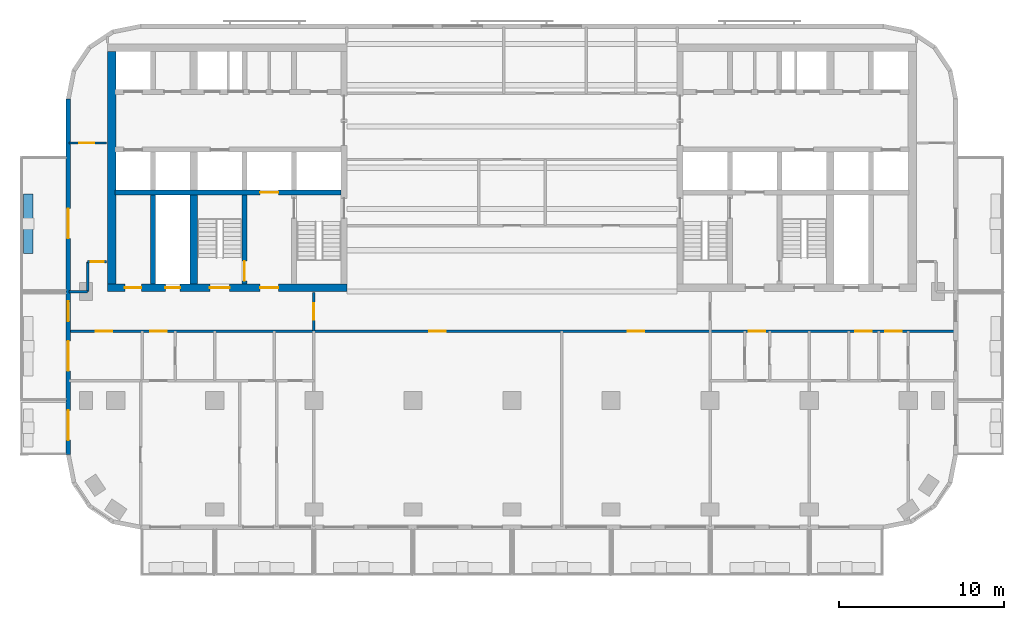
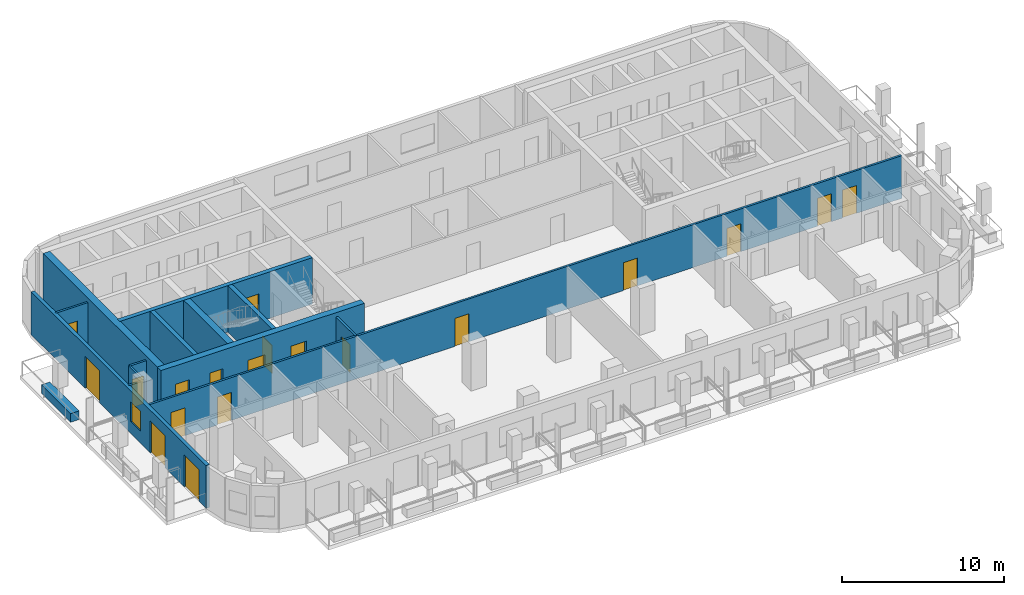
# One storey, part 3 of 11: 19 doors, 14 walls, 1 window, 20 openings.
"""IFC4 building model written with IfcOpenShell, lengths in metres."""

from ifc_helpers import new_model, si_unit, direction, frame, frame_2d, origin, place, context, subcontext, project, spatial, rectangle, extrude, material, layer, layer_set, type_object, element, fill, save


model = new_model("IFC4")

# Units and contexts
model_context = context("Model", 3, precision=1e-05, world=origin(), true_north=direction((0.0, 1.0)))
body_context = subcontext(model_context, "Body", "Model", "MODEL_VIEW")
ifc_project = project(units=[si_unit("LENGTHUNIT", "METRE"), si_unit("AREAUNIT", "SQUARE_METRE"), si_unit("VOLUMEUNIT", "CUBIC_METRE"), si_unit("PLANEANGLEUNIT", "RADIAN"), si_unit("MASSUNIT", "GRAM", prefix="KILO")], contexts=[model_context])

# Site, building, storey
site_placement = place(None, origin())
site = spatial("IfcSite", under=ifc_project, at=site_placement, CompositionType="ELEMENT")
building_placement = place(site_placement, origin())
building = spatial("IfcBuilding", under=site, at=building_placement, Name="Torana Hotel and Residences", CompositionType="ELEMENT")
storey_placement = place(building_placement, frame((0.0, 0.0, 211.60009765625)))
storey = spatial("IfcBuildingStorey", under=building, at=storey_placement, Name="L55", CompositionType="ELEMENT", Elevation=211.60009765625)

# Wall, opening, door
ifc_material_1 = material(Name="Concrete C70/85", Category="concrete")
ifc_layer_1 = layer(ifc_material_1, 0.300048828125)
ifc_layer_set_1 = layer_set([ifc_layer_1], Name="CORE WALL 300 C70/85")
wall_type_1 = type_object("IfcWallType", Name="CORE WALL 300 C70/85", PredefinedType="SHEAR", material=ifc_layer_set_1)
wall_1_placement = place(storey_placement, frame((-24.050048828125, -9.0, 0.0), z_axis=(0.0, 0.0, 1.0), x_axis=(1.0, 0.0, 0.0)))
wall_1 = element("IfcWall", 1, at=wall_1_placement, inside=storey, type_object=wall_type_1, Name="Core wall W band", PredefinedType="SHEAR", context=body_context, shape_type="SweptSolid", body=[
    extrude(rectangle(XDim=13.699951171875, YDim=0.300048828125, at=frame_2d((6.85009765625, 0.0))), origin(), (0.0, 0.0, 1.0), 3.5),
])
opening_1_placement = place(wall_1_placement, frame((8.800048828125, 0.0, 0.0)))
opening_1 = element("IfcOpeningElement", 2, at=opening_1_placement, cuts=wall_1, Name="Opening LD", PredefinedType="OPENING", context=body_context, shape_type="SweptSolid", body=[
    extrude(rectangle(XDim=1.10009765625, YDim=2.10009765625, at=frame_2d((0.550048828125, 1.050048828125))), frame((0.0, 0.159912109375, 0.0), z_axis=(0.0, -1.0, 0.0), x_axis=(1.0, 0.0, 0.0)), (0.0, 0.0, 1.0), 0.320068359375),
])
ifc_material_2 = material(Name="Stainless steel 316", Category="steel")
door_type_1 = type_object("IfcDoorType", Name="LIFT LANDING DOOR LD 1100x2100", OperationType="DOUBLE_DOOR_SLIDING", PredefinedType="USERDEFINED", material=ifc_material_2)
door_1_placement = place(opening_1_placement, origin())
door_1 = element("IfcDoor", 3, at=door_1_placement, inside=storey, type_object=door_type_1, Name="Lift landing door FF1 L55", ObjectType="LIFT LANDING DOOR", OperationType="DOUBLE_DOOR_SLIDING", OverallHeight=2.10009765625, OverallWidth=1.10009765625, PredefinedType="USERDEFINED", context=body_context, shape_type="SweptSolid", body=[
    extrude(rectangle(XDim=1.10009765625, YDim=2.10009765625, at=frame_2d((0.550048828125, 1.050048828125))), frame((0.0, 0.02490234375, 0.0), z_axis=(0.0, -1.0, 0.0), x_axis=(1.0, 0.0, 0.0)), (0.0, 0.0, 1.0), 0.050048828125),
])
fill(opening_1, door_1)

wall_2_placement = place(storey_placement, frame((-16.199951171875, -14.550048828125, 0.0), z_axis=(0.0, 0.0, 1.0), x_axis=(0.0, 1.0, 0.0)))
wall_2 = element("IfcWall", 4, at=wall_2_placement, inside=storey, type_object=wall_type_1, Name="Core wall W x6.05-band", PredefinedType="SHEAR", context=body_context, shape_type="SweptSolid", body=[
    extrude(rectangle(XDim=5.400146484375, YDim=0.300048828125, at=frame_2d((2.7001953125, 0.0))), origin(), (0.0, 0.0, 1.0), 3.5),
])
opening_2_placement = place(wall_2_placement, frame((0.199951171875, 0.0, 0.0)))
opening_2 = element("IfcOpeningElement", 5, at=opening_2_placement, cuts=wall_2, Name="Opening L55-15", PredefinedType="OPENING", context=body_context, shape_type="SweptSolid", body=[
    extrude(rectangle(XDim=1.199951171875, YDim=2.10009765625, at=frame_2d((0.60009765625, 1.050048828125))), frame((0.0, 0.159912109375, 0.0), z_axis=(0.0, -1.0, 0.0), x_axis=(1.0, 0.0, 0.0)), (0.0, 0.0, 1.0), 0.320068359375),
])
ifc_material_3 = material(Name="Steel S235", Category="steel")
door_type_2 = type_object("IfcDoorType", Name="STAIR FIRE DOOR D3 1200x2100", OperationType="SINGLE_SWING_LEFT", PredefinedType="DOOR", material=ifc_material_3)
door_2_placement = place(opening_2_placement, origin())
door_2 = element("IfcDoor", 6, at=door_2_placement, inside=storey, type_object=door_type_2, Name="Stair-B-lobby door L55", OperationType="SINGLE_SWING_RIGHT", OverallHeight=2.10009765625, OverallWidth=1.199951171875, PredefinedType="DOOR", context=body_context, shape_type="SweptSolid", body=[
    extrude(rectangle(XDim=1.199951171875, YDim=2.10009765625, at=frame_2d((0.60009765625, 1.050048828125))), frame((0.0, 0.02490234375, 0.0), z_axis=(0.0, -1.0, 0.0), x_axis=(1.0, 0.0, 0.0)), (0.0, 0.0, 1.0), 0.050048828125),
])
fill(opening_2, door_2)

# Wall
wall_3_placement = place(storey_placement, frame((-21.75, -14.550048828125, 0.0), z_axis=(0.0, 0.0, 1.0), x_axis=(0.0, 1.0, 0.0)))
element("IfcWall", 7, at=wall_3_placement, inside=storey, type_object=wall_type_1, Name="Core wall W mm-band", PredefinedType="SHEAR", context=body_context, shape_type="SweptSolid", body=[
    extrude(rectangle(XDim=5.400146484375, YDim=0.300048828125, at=frame_2d((2.7001953125, 0.0))), origin(), (0.0, 0.0, 1.0), 3.5),
])

# Wall, openings, doors
ifc_material_4 = material(Name="Concrete C70/85", Category="concrete")
ifc_layer_2 = layer(ifc_material_4, 0.449951171875)
ifc_layer_set_2 = layer_set([ifc_layer_2], Name="CORE WALL 450 C70/85")
wall_type_2 = type_object("IfcWallType", Name="CORE WALL 450 C70/85", PredefinedType="SHEAR", material=ifc_layer_set_2)
wall_4_placement = place(storey_placement, frame((-24.5, -14.77490234375, 0.0), z_axis=(0.0, 0.0, 1.0), x_axis=(1.0, 0.0, 0.0)))
wall_4 = element("IfcWall", 8, at=wall_4_placement, inside=storey, type_object=wall_type_2, Name="Core wall W front", PredefinedType="SHEAR", context=body_context, shape_type="SweptSolid", body=[
    extrude(rectangle(XDim=14.5, YDim=0.449951171875, at=frame_2d((7.25, 0.0))), origin(), (0.0, 0.0, 1.0), 3.5),
])
opening_3_placement = place(wall_4_placement, frame((6.199951171875, 0.0, 0.0)))
opening_3 = element("IfcOpeningElement", 9, at=opening_3_placement, cuts=wall_4, Name="Opening L55-04", PredefinedType="OPENING", context=body_context, shape_type="SweptSolid", body=[
    extrude(rectangle(XDim=1.199951171875, YDim=2.10009765625, at=frame_2d((0.60009765625, 1.050048828125))), frame((0.0, 0.23486328125, 0.0), z_axis=(0.0, -1.0, 0.0), x_axis=(1.0, 0.0, 0.0)), (0.0, 0.0, 1.0), 0.469970703125),
])
opening_4_placement = place(wall_4_placement, frame((9.25, 0.0, 0.0)))
opening_4 = element("IfcOpeningElement", 10, at=opening_4_placement, cuts=wall_4, Name="Opening L55-05", PredefinedType="OPENING", context=body_context, shape_type="SweptSolid", body=[
    extrude(rectangle(XDim=1.10009765625, YDim=2.10009765625, at=frame_2d((0.550048828125, 1.050048828125))), frame((0.0, 0.23486328125, 0.0), z_axis=(0.0, -1.0, 0.0), x_axis=(1.0, 0.0, 0.0)), (0.0, 0.0, 1.0), 0.469970703125),
])
opening_5_placement = place(wall_4_placement, frame((3.5, 0.0, 0.0)))
opening_5 = element("IfcOpeningElement", 11, at=opening_5_placement, cuts=wall_4, Name="Opening L55-06", PredefinedType="OPENING", context=body_context, shape_type="SweptSolid", body=[
    extrude(rectangle(XDim=0.89990234375, YDim=2.10009765625, at=frame_2d((0.449951171875, 1.050048828125))), frame((0.0, 0.23486328125, 0.0), z_axis=(0.0, -1.0, 0.0), x_axis=(1.0, 0.0, 0.0)), (0.0, 0.0, 1.0), 0.469970703125),
])
opening_6_placement = place(wall_4_placement, frame((1.050048828125, 0.0, 0.0)))
opening_6 = element("IfcOpeningElement", 12, at=opening_6_placement, cuts=wall_4, Name="Opening L55-07", PredefinedType="OPENING", context=body_context, shape_type="SweptSolid", body=[
    extrude(rectangle(XDim=1.0, YDim=2.10009765625, at=frame_2d((0.5, 1.050048828125))), frame((0.0, 0.23486328125, 0.0), z_axis=(0.0, -1.0, 0.0), x_axis=(1.0, 0.0, 0.0)), (0.0, 0.0, 1.0), 0.469970703125),
])
ifc_material_5 = material(Name="Steel S235", Category="steel")
door_type_3 = type_object("IfcDoorType", Name="CORE ROOM FIRE DOOR D14 1000x2100", OperationType="SINGLE_SWING_LEFT", PredefinedType="DOOR", material=ifc_material_5)
door_3_placement = place(opening_6_placement, origin())
door_3 = element("IfcDoor", 13, at=door_3_placement, inside=storey, type_object=door_type_3, Name="M-Room door L55", OperationType="SINGLE_SWING_RIGHT", OverallHeight=2.10009765625, OverallWidth=1.0, PredefinedType="DOOR", context=body_context, shape_type="SweptSolid", body=[
    extrude(rectangle(XDim=1.0, YDim=2.10009765625, at=frame_2d((0.5, 1.050048828125))), frame((0.0, 0.02490234375, 0.0), z_axis=(0.0, -1.0, 0.0), x_axis=(1.0, 0.0, 0.0)), (0.0, 0.0, 1.0), 0.050048828125),
])
fill(opening_6, door_3)
ifc_material_6 = material(Name="Steel S235", Category="steel")
door_type_4 = type_object("IfcDoorType", Name="FIRE-FIGHTING LOBBY DOOR D8 1100x2100", OperationType="SINGLE_SWING_LEFT", PredefinedType="DOOR", material=ifc_material_6)
door_4_placement = place(opening_4_placement, origin())
door_4 = element("IfcDoor", 14, at=door_4_placement, inside=storey, type_object=door_type_4, Name="FF-lobby door L55", OperationType="SINGLE_SWING_RIGHT", OverallHeight=2.10009765625, OverallWidth=1.10009765625, PredefinedType="DOOR", context=body_context, shape_type="SweptSolid", body=[
    extrude(rectangle(XDim=1.10009765625, YDim=2.10009765625, at=frame_2d((0.550048828125, 1.050048828125))), frame((0.0, 0.02490234375, 0.0), z_axis=(0.0, -1.0, 0.0), x_axis=(1.0, 0.0, 0.0)), (0.0, 0.0, 1.0), 0.050048828125),
])
fill(opening_4, door_4)
ifc_material_7 = material(Name="Steel S235", Category="steel")
door_type_5 = type_object("IfcDoorType", Name="RISER ACCESS DOOR D5 900x2100", OperationType="SINGLE_SWING_LEFT", PredefinedType="DOOR", material=ifc_material_7)
door_5_placement = place(opening_5_placement, origin())
door_5 = element("IfcDoor", 15, at=door_5_placement, inside=storey, type_object=door_type_5, Name="M-Riser door L55", OperationType="SINGLE_SWING_RIGHT", OverallHeight=2.10009765625, OverallWidth=0.89990234375, PredefinedType="DOOR", context=body_context, shape_type="SweptSolid", body=[
    extrude(rectangle(XDim=0.89990234375, YDim=2.10009765625, at=frame_2d((0.449951171875, 1.050048828125))), frame((0.0, 0.02490234375, 0.0), z_axis=(0.0, -1.0, 0.0), x_axis=(1.0, 0.0, 0.0)), (0.0, 0.0, 1.0), 0.050048828125),
])
fill(opening_5, door_5)
door_6_placement = place(opening_3_placement, origin())
door_6 = element("IfcDoor", 16, at=door_6_placement, inside=storey, type_object=door_type_2, Name="Stair-B door L55", OperationType="SINGLE_SWING_RIGHT", OverallHeight=2.10009765625, OverallWidth=1.199951171875, PredefinedType="DOOR", context=body_context, shape_type="SweptSolid", body=[
    extrude(rectangle(XDim=1.199951171875, YDim=2.10009765625, at=frame_2d((0.60009765625, 1.050048828125))), frame((0.0, 0.02490234375, 0.0), z_axis=(0.0, -1.0, 0.0), x_axis=(1.0, 0.0, 0.0)), (0.0, 0.0, 1.0), 0.050048828125),
])
fill(opening_3, door_6)

# Walls
wall_5_placement = place(storey_placement, frame((-19.27490234375, -14.550048828125, 0.0), z_axis=(0.0, 0.0, 1.0), x_axis=(0.0, 1.0, 0.0)))
element("IfcWall", 17, at=wall_5_placement, inside=storey, type_object=wall_type_2, Name="Core wall W hm-band", PredefinedType="SHEAR", context=body_context, shape_type="SweptSolid", body=[
    extrude(rectangle(XDim=5.400146484375, YDim=0.449951171875, at=frame_2d((2.7001953125, 0.0))), origin(), (0.0, 0.0, 1.0), 3.5),
])
ifc_material_8 = material(Name="Concrete C70/85", Category="concrete")
ifc_layer_3 = layer(ifc_material_8, 0.5)
ifc_layer_set_3 = layer_set([ifc_layer_3], Name="CORE WALL 500 C70/85")
wall_type_3 = type_object("IfcWallType", Name="CORE WALL 500 C70/85", PredefinedType="SHEAR", material=ifc_layer_set_3)
wall_6_placement = place(storey_placement, frame((-24.25, -14.550048828125, 0.0), z_axis=(0.0, 0.0, 1.0), x_axis=(0.0, 1.0, 0.0)))
element("IfcWall", 18, at=wall_6_placement, inside=storey, type_object=wall_type_3, Name="Core wall W outer", PredefinedType="SHEAR", context=body_context, shape_type="SweptSolid", body=[
    extrude(rectangle(XDim=14.10009765625, YDim=0.5, at=frame_2d((7.050048828125, 0.0))), origin(), (0.0, 0.0, 1.0), 3.5),
])

# Wall, openings, doors, window
ifc_material_9 = material(Name="Black aluminium composite panel", Category="aluminium")
ifc_layer_4 = layer(ifc_material_9, 0.00390625, Name="Cladding", Category="cladding")
ifc_material_10 = material(Name="Ventilated air cavity")
ifc_layer_5 = layer(ifc_material_10, 0.0400390625, Name="Ventilated cavity", Category="cavity")
ifc_material_11 = material(Name="Mineral wool insulation")
ifc_layer_6 = layer(ifc_material_11, 0.090087890625, Name="Insulation", Category="insulation")
ifc_material_12 = material(Name="Steel S280GD", Category="steel")
ifc_layer_7 = layer(ifc_material_12, 0.092041015625, Name="Steel stud frame", Category="structure")
ifc_material_13 = material(Name="Fire rated plasterboard")
ifc_layer_8 = layer(ifc_material_13, 0.011962890625, Name="Inner board", Category="finish")
ifc_layer_9 = layer(ifc_material_13, 0.011962890625, Name="Second board", Category="finish")
ifc_layer_set_4 = layer_set([ifc_layer_4, ifc_layer_5, ifc_layer_6, ifc_layer_7, ifc_layer_8, ifc_layer_9], Name="EW1 EXTERNAL WALL BLACK METAL CLAD 250")
wall_type_4 = type_object("IfcWallType", Name="EW1 EXTERNAL WALL BLACK METAL CLAD 250", PredefinedType="SOLIDWALL", material=ifc_layer_set_4)
wall_7_placement = place(storey_placement, frame((-26.875, -3.32470703125, 0.0), z_axis=(0.0, 0.0, 1.0), x_axis=(0.0, -1.0, 0.0)))
wall_7 = element("IfcWall", 19, at=wall_7_placement, inside=storey, type_object=wall_type_4, Name="External wall L55 e0.9", PredefinedType="SOLIDWALL", context=body_context, shape_type="SweptSolid", body=[
    extrude(rectangle(XDim=21.55078125, YDim=0.25, at=frame_2d((10.775390625, 0.0))), origin(), (0.0, 0.0, 1.0), 3.219970703125),
])
opening_7_placement = place(wall_7_placement, frame((6.650390625, 0.0, 0.0)))
opening_7 = element("IfcOpeningElement", 20, at=opening_7_placement, cuts=wall_7, Name="Opening L55-E12", PredefinedType="OPENING", context=body_context, shape_type="SweptSolid", body=[
    extrude(rectangle(XDim=1.800048828125, YDim=2.39990234375, at=frame_2d((0.89990234375, 1.199951171875))), frame((0.0, 0.135009765625, 0.0), z_axis=(0.0, -1.0, 0.0), x_axis=(1.0, 0.0, 0.0)), (0.0, 0.0, 1.0), 0.27001953125),
])
opening_8_placement = place(wall_7_placement, frame((12.275390625, 0.0, 0.89990234375)))
opening_8 = element("IfcOpeningElement", 21, at=opening_8_placement, cuts=wall_7, Name="Opening W5", PredefinedType="OPENING", context=body_context, shape_type="SweptSolid", body=[
    extrude(rectangle(XDim=1.199951171875, YDim=1.5, at=frame_2d((0.60009765625, 0.75))), frame((0.0, 0.135009765625, 0.0), z_axis=(0.0, -1.0, 0.0), x_axis=(1.0, 0.0, 0.0)), (0.0, 0.0, 1.0), 0.27001953125),
])
opening_9_placement = place(wall_7_placement, frame((14.67529296875, 0.0, 0.0)))
opening_9 = element("IfcOpeningElement", 22, at=opening_9_placement, cuts=wall_7, Name="Opening L55-E13", PredefinedType="OPENING", context=body_context, shape_type="SweptSolid", body=[
    extrude(rectangle(XDim=1.800048828125, YDim=2.39990234375, at=frame_2d((0.89990234375, 1.199951171875))), frame((0.0, 0.135009765625, 0.0), z_axis=(0.0, -1.0, 0.0), x_axis=(1.0, 0.0, 0.0)), (0.0, 0.0, 1.0), 0.27001953125),
])
opening_10_placement = place(wall_7_placement, frame((18.87548828125, 0.0, 0.0)))
opening_10 = element("IfcOpeningElement", 23, at=opening_10_placement, cuts=wall_7, Name="Opening L55-E14", PredefinedType="OPENING", context=body_context, shape_type="SweptSolid", body=[
    extrude(rectangle(XDim=1.800048828125, YDim=2.39990234375, at=frame_2d((0.89990234375, 1.199951171875))), frame((0.0, 0.135009765625, 0.0), z_axis=(0.0, -1.0, 0.0), x_axis=(1.0, 0.0, 0.0)), (0.0, 0.0, 1.0), 0.27001953125),
])
ifc_material_14 = material(Name="Dark glass in black aluminium frame", Category="aluminium")
door_type_6 = type_object("IfcDoorType", Name="DB1 BALCONY DOOR 1800x2400", OperationType="DOUBLE_DOOR_SINGLE_SWING", PredefinedType="DOOR", material=ifc_material_14)
door_7_placement = place(opening_7_placement, origin())
door_7 = element("IfcDoor", 24, at=door_7_placement, inside=storey, type_object=door_type_6, Name="Balcony door L55", OperationType="DOUBLE_DOOR_SINGLE_SWING", OverallHeight=2.39990234375, OverallWidth=1.800048828125, PredefinedType="DOOR", context=body_context, shape_type="SweptSolid", body=[
    extrude(rectangle(XDim=1.800048828125, YDim=2.39990234375, at=frame_2d((0.89990234375, 1.199951171875))), frame((0.0, 0.02490234375, 0.0), z_axis=(0.0, -1.0, 0.0), x_axis=(1.0, 0.0, 0.0)), (0.0, 0.0, 1.0), 0.050048828125),
])
fill(opening_7, door_7)
door_8_placement = place(opening_9_placement, origin())
door_8 = element("IfcDoor", 25, at=door_8_placement, inside=storey, type_object=door_type_6, Name="Balcony door L55", OperationType="DOUBLE_DOOR_SINGLE_SWING", OverallHeight=2.39990234375, OverallWidth=1.800048828125, PredefinedType="DOOR", context=body_context, shape_type="SweptSolid", body=[
    extrude(rectangle(XDim=1.800048828125, YDim=2.39990234375, at=frame_2d((0.89990234375, 1.199951171875))), frame((0.0, 0.02490234375, 0.0), z_axis=(0.0, -1.0, 0.0), x_axis=(1.0, 0.0, 0.0)), (0.0, 0.0, 1.0), 0.050048828125),
])
fill(opening_9, door_8)
door_9_placement = place(opening_10_placement, origin())
door_9 = element("IfcDoor", 26, at=door_9_placement, inside=storey, type_object=door_type_6, Name="Balcony door L55", OperationType="DOUBLE_DOOR_SINGLE_SWING", OverallHeight=2.39990234375, OverallWidth=1.800048828125, PredefinedType="DOOR", context=body_context, shape_type="SweptSolid", body=[
    extrude(rectangle(XDim=1.800048828125, YDim=2.39990234375, at=frame_2d((0.89990234375, 1.199951171875))), frame((0.0, 0.02490234375, 0.0), z_axis=(0.0, -1.0, 0.0), x_axis=(1.0, 0.0, 0.0)), (0.0, 0.0, 1.0), 0.050048828125),
])
fill(opening_10, door_9)
ifc_material_15 = material(Name="Dark glass in black aluminium frame", Category="aluminium")
window_type = type_object("IfcWindowType", Name="W5 CORNER FACET WINDOW 1200x1500", PartitioningType="SINGLE_PANEL", PredefinedType="WINDOW", material=ifc_material_15)
window_placement = place(opening_8_placement, origin())
window = element("IfcWindow", 27, at=window_placement, inside=storey, type_object=window_type, Name="Window L55", OverallHeight=1.5, OverallWidth=1.199951171875, PartitioningType="SINGLE_PANEL", PredefinedType="WINDOW", context=body_context, shape_type="SweptSolid", body=[
    extrude(rectangle(XDim=1.199951171875, YDim=1.5, at=frame_2d((0.60009765625, 0.75))), frame((0.0, 0.030029296875, 0.0), z_axis=(0.0, -1.0, 0.0), x_axis=(1.0, 0.0, 0.0)), (0.0, 0.0, 1.0), 0.06005859375),
])
fill(opening_8, window)

# Wall, opening, door
ifc_material_16 = material(Name="Gypsum plaster")
ifc_layer_10 = layer(ifc_material_16, 0.014892578125, Name="Plaster", Category="finish")
ifc_material_17 = material(Name="Concrete blockwork", Category="masonry")
ifc_layer_11 = layer(ifc_material_17, 0.1201171875, Name="Blockwork", Category="structure")
ifc_layer_12 = layer(ifc_material_16, 0.014892578125, Name="Plaster", Category="finish")
ifc_layer_set_5 = layer_set([ifc_layer_10, ifc_layer_11, ifc_layer_12], Name="FIRE PARTITION 150 BLOCKWORK")
wall_type_5 = type_object("IfcWallType", Name="FIRE PARTITION 150 BLOCKWORK", PredefinedType="PARTITIONING", material=ifc_layer_set_5)
wall_8_placement = place(storey_placement, frame((-12.0, -17.39990234375, 0.0), z_axis=(0.0, 0.0, 1.0), x_axis=(0.0, 1.0, 0.0)))
wall_8 = element("IfcWall", 28, at=wall_8_placement, inside=storey, type_object=wall_type_5, Name="Partition L55", PredefinedType="PARTITIONING", context=body_context, shape_type="SweptSolid", body=[
    extrude(rectangle(XDim=2.349853515625, YDim=0.14990234375, at=frame_2d((1.1748046875, 0.0))), origin(), (0.0, 0.0, 1.0), 3.219970703125),
])
opening_11_placement = place(wall_8_placement, frame((0.699951171875, 0.0, 0.0)))
opening_11 = element("IfcOpeningElement", 29, at=opening_11_placement, cuts=wall_8, Name="Opening L55-31", PredefinedType="OPENING", context=body_context, shape_type="SweptSolid", body=[
    extrude(rectangle(XDim=1.0, YDim=2.10009765625, at=frame_2d((0.5, 1.050048828125))), frame((0.0, 0.0849609375, 0.0), z_axis=(0.0, -1.0, 0.0), x_axis=(1.0, 0.0, 0.0)), (0.0, 0.0, 1.0), 0.169921875),
])
ifc_material_18 = material(Name="Steel S235", Category="steel")
door_type_7 = type_object("IfcDoorType", Name="ENTRY FIRE DOOR D6 1000x2100", OperationType="SINGLE_SWING_LEFT", PredefinedType="DOOR", material=ifc_material_18)
door_10_placement = place(opening_11_placement, origin())
door_10 = element("IfcDoor", 30, at=door_10_placement, inside=storey, type_object=door_type_7, Name="Door L55", OperationType="SINGLE_SWING_RIGHT", OverallHeight=2.10009765625, OverallWidth=1.0, PredefinedType="DOOR", context=body_context, shape_type="SweptSolid", body=[
    extrude(rectangle(XDim=1.0, YDim=2.10009765625, at=frame_2d((0.5, 1.050048828125))), frame((0.0, 0.02490234375, 0.0), z_axis=(0.0, -1.0, 0.0), x_axis=(1.0, 0.0, 0.0)), (0.0, 0.0, 1.0), 0.050048828125),
])
fill(opening_11, door_10)

# Wall
wall_9_placement = place(storey_placement, frame((-25.699951171875, -15.0, 0.0), z_axis=(0.0, 0.0, 1.0), x_axis=(0.0, 1.0, 0.0)))
element("IfcWall", 31, at=wall_9_placement, inside=storey, type_object=wall_type_5, Name="Partition L55", PredefinedType="PARTITIONING", context=body_context, shape_type="SweptSolid", body=[
    extrude(rectangle(XDim=1.800048828125, YDim=0.14990234375, at=frame_2d((0.89990234375, 0.0))), origin(), (0.0, 0.0, 1.0), 3.219970703125),
])

# Wall, openings, doors
wall_10_placement = place(storey_placement, frame((-26.820068359375, -17.39990234375, 0.0), z_axis=(0.0, 0.0, 1.0), x_axis=(1.0, 0.0, 0.0)))
wall_10 = element("IfcWall", 32, at=wall_10_placement, inside=storey, type_object=wall_type_5, Name="Partition L55", PredefinedType="PARTITIONING", context=body_context, shape_type="SweptSolid", body=[
    extrude(rectangle(XDim=53.64013671875, YDim=0.14990234375, at=frame_2d((26.820068359375, 0.0))), origin(), (0.0, 0.0, 1.0), 3.219970703125),
])
opening_12_placement = place(wall_10_placement, frame((4.919921875, 0.0, 0.0)))
opening_12 = element("IfcOpeningElement", 33, at=opening_12_placement, cuts=wall_10, Name="Opening L55-32", PredefinedType="OPENING", context=body_context, shape_type="SweptSolid", body=[
    extrude(rectangle(XDim=1.0, YDim=2.10009765625, at=frame_2d((0.5, 1.050048828125))), frame((0.0, 0.0849609375, 0.0), z_axis=(0.0, -1.0, 0.0), x_axis=(1.0, 0.0, 0.0)), (0.0, 0.0, 1.0), 0.169921875),
])
opening_13_placement = place(wall_10_placement, frame((1.6201171875, 0.0, 0.0)))
opening_13 = element("IfcOpeningElement", 34, at=opening_13_placement, cuts=wall_10, Name="Opening L55-33", PredefinedType="OPENING", context=body_context, shape_type="SweptSolid", body=[
    extrude(rectangle(XDim=1.0, YDim=2.10009765625, at=frame_2d((0.5, 1.050048828125))), frame((0.0, 0.0849609375, 0.0), z_axis=(0.0, -1.0, 0.0), x_axis=(1.0, 0.0, 0.0)), (0.0, 0.0, 1.0), 0.169921875),
])
opening_14_placement = place(wall_10_placement, frame((41.169921875, 0.0, 0.0)))
opening_14 = element("IfcOpeningElement", 35, at=opening_14_placement, cuts=wall_10, Name="Opening L55-36", PredefinedType="OPENING", context=body_context, shape_type="SweptSolid", body=[
    extrude(rectangle(XDim=1.0, YDim=2.10009765625, at=frame_2d((0.5, 1.050048828125))), frame((0.0, 0.0849609375, 0.0), z_axis=(0.0, -1.0, 0.0), x_axis=(1.0, 0.0, 0.0)), (0.0, 0.0, 1.0), 0.169921875),
])
opening_15_placement = place(wall_10_placement, frame((49.419921875, 0.0, 0.0)))
opening_15 = element("IfcOpeningElement", 36, at=opening_15_placement, cuts=wall_10, Name="Opening L55-37", PredefinedType="OPENING", context=body_context, shape_type="SweptSolid", body=[
    extrude(rectangle(XDim=1.0, YDim=2.10009765625, at=frame_2d((0.5, 1.050048828125))), frame((0.0, 0.0849609375, 0.0), z_axis=(0.0, -1.0, 0.0), x_axis=(1.0, 0.0, 0.0)), (0.0, 0.0, 1.0), 0.169921875),
])
opening_16_placement = place(wall_10_placement, frame((47.6201171875, 0.0, 0.0)))
opening_16 = element("IfcOpeningElement", 37, at=opening_16_placement, cuts=wall_10, Name="Opening L55-38", PredefinedType="OPENING", context=body_context, shape_type="SweptSolid", body=[
    extrude(rectangle(XDim=1.0, YDim=2.10009765625, at=frame_2d((0.5, 1.050048828125))), frame((0.0, 0.0849609375, 0.0), z_axis=(0.0, -1.0, 0.0), x_axis=(1.0, 0.0, 0.0)), (0.0, 0.0, 1.0), 0.169921875),
])
opening_17_placement = place(wall_10_placement, frame((21.820068359375, 0.0, 0.0)))
opening_17 = element("IfcOpeningElement", 38, at=opening_17_placement, cuts=wall_10, Name="Opening L55-41", PredefinedType="OPENING", context=body_context, shape_type="SweptSolid", body=[
    extrude(rectangle(XDim=1.0, YDim=2.10009765625, at=frame_2d((0.5, 1.050048828125))), frame((0.0, 0.0849609375, 0.0), z_axis=(0.0, -1.0, 0.0), x_axis=(1.0, 0.0, 0.0)), (0.0, 0.0, 1.0), 0.169921875),
])
opening_18_placement = place(wall_10_placement, frame((33.820068359375, 0.0, 0.0)))
opening_18 = element("IfcOpeningElement", 39, at=opening_18_placement, cuts=wall_10, Name="Opening L55-42", PredefinedType="OPENING", context=body_context, shape_type="SweptSolid", body=[
    extrude(rectangle(XDim=1.0, YDim=2.10009765625, at=frame_2d((0.5, 1.050048828125))), frame((0.0, 0.0849609375, 0.0), z_axis=(0.0, -1.0, 0.0), x_axis=(1.0, 0.0, 0.0)), (0.0, 0.0, 1.0), 0.169921875),
])
door_11_placement = place(opening_12_placement, origin())
door_11 = element("IfcDoor", 40, at=door_11_placement, inside=storey, type_object=door_type_7, Name="Door L55", OperationType="SINGLE_SWING_RIGHT", OverallHeight=2.10009765625, OverallWidth=1.0, PredefinedType="DOOR", context=body_context, shape_type="SweptSolid", body=[
    extrude(rectangle(XDim=1.0, YDim=2.10009765625, at=frame_2d((0.5, 1.050048828125))), frame((0.0, 0.02490234375, 0.0), z_axis=(0.0, -1.0, 0.0), x_axis=(1.0, 0.0, 0.0)), (0.0, 0.0, 1.0), 0.050048828125),
])
fill(opening_12, door_11)
door_12_placement = place(opening_13_placement, frame((0.5, 0.0, 0.0), z_axis=(0.0, 0.0, 1.0), x_axis=(-1.0, 0.0, 0.0)))
door_12 = element("IfcDoor", 41, at=door_12_placement, inside=storey, type_object=door_type_7, Name="Door L55", OperationType="SINGLE_SWING_LEFT", OverallHeight=2.10009765625, OverallWidth=1.0, PredefinedType="DOOR", context=body_context, shape_type="SweptSolid", body=[
    extrude(rectangle(XDim=1.0, YDim=2.10009765625, at=frame_2d((0.0, 1.050048828125))), frame((0.0, -0.02490234375, 0.0), z_axis=(0.0, 1.0, 0.0), x_axis=(-1.0, 0.0, 0.0)), (0.0, 0.0, 1.0), 0.050048828125),
])
fill(opening_13, door_12)
door_13_placement = place(opening_14_placement, origin())
door_13 = element("IfcDoor", 42, at=door_13_placement, inside=storey, type_object=door_type_7, Name="Door L55", OperationType="SINGLE_SWING_RIGHT", OverallHeight=2.10009765625, OverallWidth=1.0, PredefinedType="DOOR", context=body_context, shape_type="SweptSolid", body=[
    extrude(rectangle(XDim=1.0, YDim=2.10009765625, at=frame_2d((0.5, 1.050048828125))), frame((0.0, 0.02490234375, 0.0), z_axis=(0.0, -1.0, 0.0), x_axis=(1.0, 0.0, 0.0)), (0.0, 0.0, 1.0), 0.050048828125),
])
fill(opening_14, door_13)
door_14_placement = place(opening_15_placement, origin())
door_14 = element("IfcDoor", 43, at=door_14_placement, inside=storey, type_object=door_type_7, Name="Door L55", OperationType="SINGLE_SWING_RIGHT", OverallHeight=2.10009765625, OverallWidth=1.0, PredefinedType="DOOR", context=body_context, shape_type="SweptSolid", body=[
    extrude(rectangle(XDim=1.0, YDim=2.10009765625, at=frame_2d((0.5, 1.050048828125))), frame((0.0, 0.02490234375, 0.0), z_axis=(0.0, -1.0, 0.0), x_axis=(1.0, 0.0, 0.0)), (0.0, 0.0, 1.0), 0.050048828125),
])
fill(opening_15, door_14)
door_15_placement = place(opening_16_placement, frame((0.5, 0.0, 0.0), z_axis=(0.0, 0.0, 1.0), x_axis=(-1.0, 0.0, 0.0)))
door_15 = element("IfcDoor", 44, at=door_15_placement, inside=storey, type_object=door_type_7, Name="Door L55", OperationType="SINGLE_SWING_LEFT", OverallHeight=2.10009765625, OverallWidth=1.0, PredefinedType="DOOR", context=body_context, shape_type="SweptSolid", body=[
    extrude(rectangle(XDim=1.0, YDim=2.10009765625, at=frame_2d((0.0, 1.050048828125))), frame((0.0, -0.02490234375, 0.0), z_axis=(0.0, 1.0, 0.0), x_axis=(-1.0, 0.0, 0.0)), (0.0, 0.0, 1.0), 0.050048828125),
])
fill(opening_16, door_15)
door_16_placement = place(opening_17_placement, frame((0.5, 0.0, 0.0), z_axis=(0.0, 0.0, 1.0), x_axis=(-1.0, 0.0, 0.0)))
door_16 = element("IfcDoor", 45, at=door_16_placement, inside=storey, type_object=door_type_7, Name="Door L55", OperationType="SINGLE_SWING_LEFT", OverallHeight=2.10009765625, OverallWidth=1.0, PredefinedType="DOOR", context=body_context, shape_type="SweptSolid", body=[
    extrude(rectangle(XDim=1.0, YDim=2.10009765625, at=frame_2d((0.0, 1.050048828125))), frame((0.0, -0.02490234375, 0.0), z_axis=(0.0, 1.0, 0.0), x_axis=(-1.0, 0.0, 0.0)), (0.0, 0.0, 1.0), 0.050048828125),
])
fill(opening_17, door_16)
door_17_placement = place(opening_18_placement, frame((0.5, 0.0, 0.0), z_axis=(0.0, 0.0, 1.0), x_axis=(-1.0, 0.0, 0.0)))
door_17 = element("IfcDoor", 46, at=door_17_placement, inside=storey, type_object=door_type_7, Name="Door L55", OperationType="SINGLE_SWING_LEFT", OverallHeight=2.10009765625, OverallWidth=1.0, PredefinedType="DOOR", context=body_context, shape_type="SweptSolid", body=[
    extrude(rectangle(XDim=1.0, YDim=2.10009765625, at=frame_2d((0.0, 1.050048828125))), frame((0.0, -0.02490234375, 0.0), z_axis=(0.0, 1.0, 0.0), x_axis=(-1.0, 0.0, 0.0)), (0.0, 0.0, 1.0), 0.050048828125),
])
fill(opening_18, door_17)

# Wall
wall_11_placement = place(storey_placement, frame((-26.820068359375, -15.0, 0.0), z_axis=(0.0, 0.0, 1.0), x_axis=(1.0, 0.0, 0.0)))
element("IfcWall", 47, at=wall_11_placement, inside=storey, type_object=wall_type_5, Name="Partition L55", PredefinedType="PARTITIONING", context=body_context, shape_type="SweptSolid", body=[
    extrude(rectangle(XDim=1.1201171875, YDim=0.14990234375, at=frame_2d((0.56005859375, 0.0))), origin(), (0.0, 0.0, 1.0), 3.219970703125),
])

# Wall, opening, door
wall_12_placement = place(storey_placement, frame((-25.699951171875, -13.199951171875, 0.0), z_axis=(0.0, 0.0, 1.0), x_axis=(1.0, 0.0, 0.0)))
wall_12 = element("IfcWall", 48, at=wall_12_placement, inside=storey, type_object=wall_type_5, Name="Partition L55", PredefinedType="PARTITIONING", context=body_context, shape_type="SweptSolid", body=[
    extrude(rectangle(XDim=1.14990234375, YDim=0.14990234375, at=frame_2d((0.574951171875, 0.0))), origin(), (0.0, 0.0, 1.0), 3.219970703125),
])
opening_19_placement = place(wall_12_placement, frame((0.175048828125, 0.0, 0.0)))
opening_19 = element("IfcOpeningElement", 49, at=opening_19_placement, cuts=wall_12, Name="Opening L55-34", PredefinedType="OPENING", context=body_context, shape_type="SweptSolid", body=[
    extrude(rectangle(XDim=0.800048828125, YDim=2.10009765625, at=frame_2d((0.39990234375, 1.050048828125))), frame((0.0, 0.0849609375, 0.0), z_axis=(0.0, -1.0, 0.0), x_axis=(1.0, 0.0, 0.0)), (0.0, 0.0, 1.0), 0.169921875),
])
ifc_material_19 = material(Name="Steel S235", Category="steel")
door_type_8 = type_object("IfcDoorType", Name="STORE FIRE DOOR D16 800x2100", OperationType="SINGLE_SWING_LEFT", PredefinedType="DOOR", material=ifc_material_19)
door_18_placement = place(opening_19_placement, origin())
door_18 = element("IfcDoor", 50, at=door_18_placement, inside=storey, type_object=door_type_8, Name="Door L55", OperationType="SINGLE_SWING_LEFT", OverallHeight=2.10009765625, OverallWidth=0.800048828125, PredefinedType="DOOR", context=body_context, shape_type="SweptSolid", body=[
    extrude(rectangle(XDim=0.800048828125, YDim=2.10009765625, at=frame_2d((0.39990234375, 1.050048828125))), frame((0.0, 0.02490234375, 0.0), z_axis=(0.0, -1.0, 0.0), x_axis=(1.0, 0.0, 0.0)), (0.0, 0.0, 1.0), 0.050048828125),
])
fill(opening_19, door_18)

ifc_material_20 = material(Name="Gypsum plasterboard")
ifc_layer_13 = layer(ifc_material_20, 0.012451171875, Name="Plasterboard", Category="finish")
ifc_layer_14 = layer(ifc_material_20, 0.012451171875, Name="Plasterboard", Category="finish")
ifc_layer_15 = layer(ifc_material_12, 0.10009765625, Name="Steel studs with mineral wool", Category="insulation")
ifc_layer_16 = layer(ifc_material_20, 0.012451171875, Name="Plasterboard", Category="finish")
ifc_layer_17 = layer(ifc_material_20, 0.012451171875, Name="Plasterboard", Category="finish")
ifc_layer_set_6 = layer_set([ifc_layer_13, ifc_layer_14, ifc_layer_15, ifc_layer_16, ifc_layer_17], Name="PARTITION 150 PLASTERBOARD")
wall_type_6 = type_object("IfcWallType", Name="PARTITION 150 PLASTERBOARD", PredefinedType="PARTITIONING", material=ifc_layer_set_6)
wall_13_placement = place(storey_placement, frame((-26.820068359375, -6.0, 0.0), z_axis=(0.0, 0.0, 1.0), x_axis=(1.0, 0.0, 0.0)))
wall_13 = element("IfcWall", 51, at=wall_13_placement, inside=storey, type_object=wall_type_6, Name="Partition L55", PredefinedType="PARTITIONING", context=body_context, shape_type="SweptSolid", body=[
    extrude(rectangle(XDim=2.27001953125, YDim=0.14990234375, at=frame_2d((1.135009765625, 0.0))), origin(), (0.0, 0.0, 1.0), 3.219970703125),
])
opening_20_placement = place(wall_13_placement, frame((0.6201171875, 0.0, 0.0)))
opening_20 = element("IfcOpeningElement", 52, at=opening_20_placement, cuts=wall_13, Name="Opening L55-64", PredefinedType="OPENING", context=body_context, shape_type="SweptSolid", body=[
    extrude(rectangle(XDim=0.89990234375, YDim=2.10009765625, at=frame_2d((0.449951171875, 1.050048828125))), frame((0.0, 0.0849609375, 0.0), z_axis=(0.0, -1.0, 0.0), x_axis=(1.0, 0.0, 0.0)), (0.0, 0.0, 1.0), 0.169921875),
])
ifc_material_21 = material(Name="Timber door, oiled ash", Category="wood")
door_type_9 = type_object("IfcDoorType", Name="ROOM DOOR D7 900x2100", OperationType="SINGLE_SWING_LEFT", PredefinedType="DOOR", material=ifc_material_21)
door_19_placement = place(opening_20_placement, origin())
door_19 = element("IfcDoor", 53, at=door_19_placement, inside=storey, type_object=door_type_9, Name="Door L55", OperationType="SINGLE_SWING_RIGHT", OverallHeight=2.10009765625, OverallWidth=0.89990234375, PredefinedType="DOOR", context=body_context, shape_type="SweptSolid", body=[
    extrude(rectangle(XDim=0.89990234375, YDim=2.10009765625, at=frame_2d((0.449951171875, 1.050048828125))), frame((0.0, 0.02490234375, 0.0), z_axis=(0.0, -1.0, 0.0), x_axis=(1.0, 0.0, 0.0)), (0.0, 0.0, 1.0), 0.050048828125),
])
fill(opening_20, door_19)

# Wall
ifc_material_22 = material(Name="Concrete C40/50 precast", Category="concrete")
ifc_layer_18 = layer(ifc_material_22, 0.10009765625, Name="Planter shell", Category="structure")
ifc_material_23 = material(Name="Root resistant membrane")
ifc_layer_19 = layer(ifc_material_23, 0.00390625, Name="Waterproofing membrane", Category="membrane")
ifc_material_24 = material(Name="Drainage board with filter fleece")
ifc_layer_20 = layer(ifc_material_24, 0.02001953125, Name="Drainage board", Category="drainage")
ifc_material_25 = material(Name="Growing medium")
ifc_layer_21 = layer(ifc_material_25, 0.47607421875, Name="Planting substrate", Category="soil")
ifc_layer_set_7 = layer_set([ifc_layer_18, ifc_layer_19, ifc_layer_20, ifc_layer_21], Name="PL1 BALCONY PLANTER 600")
wall_type_7 = type_object("IfcWallType", Name="PL1 BALCONY PLANTER 600", PredefinedType="USERDEFINED", material=ifc_layer_set_7)
wall_14_placement = place(storey_placement, frame((-29.300048828125, -12.699951171875, 0.0), z_axis=(0.0, 0.0, 1.0), x_axis=(0.0, 1.0, 0.0)))
element("IfcWall", 54, at=wall_14_placement, inside=storey, type_object=wall_type_7, Name="Planter 11", ObjectType="PLANTER", PredefinedType="USERDEFINED", context=body_context, shape_type="SweptSolid", body=[
    extrude(rectangle(XDim=3.599853515625, YDim=0.60009765625, at=frame_2d((1.7998046875, 0.0))), origin(), (0.0, 0.0, 1.0), 0.64990234375),
])

save(model, "model.ifc")
